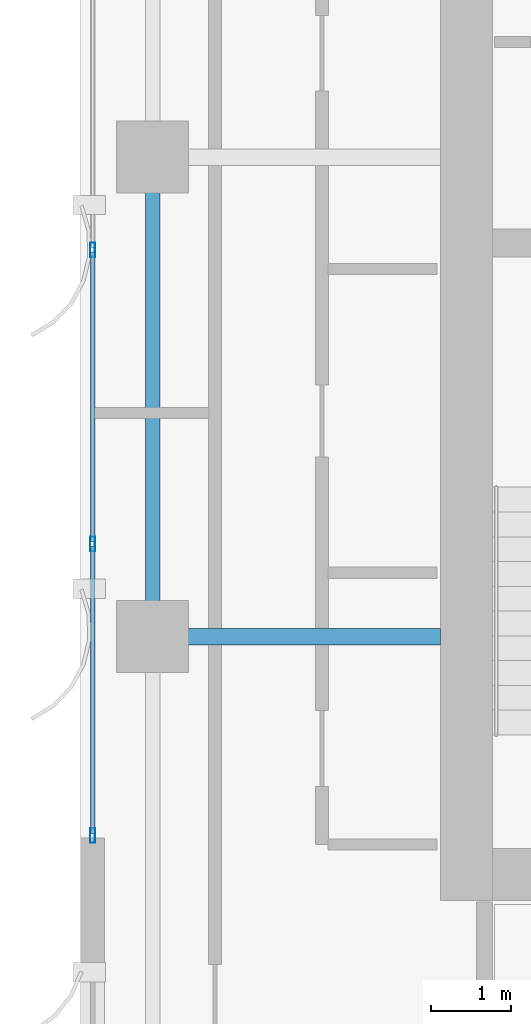
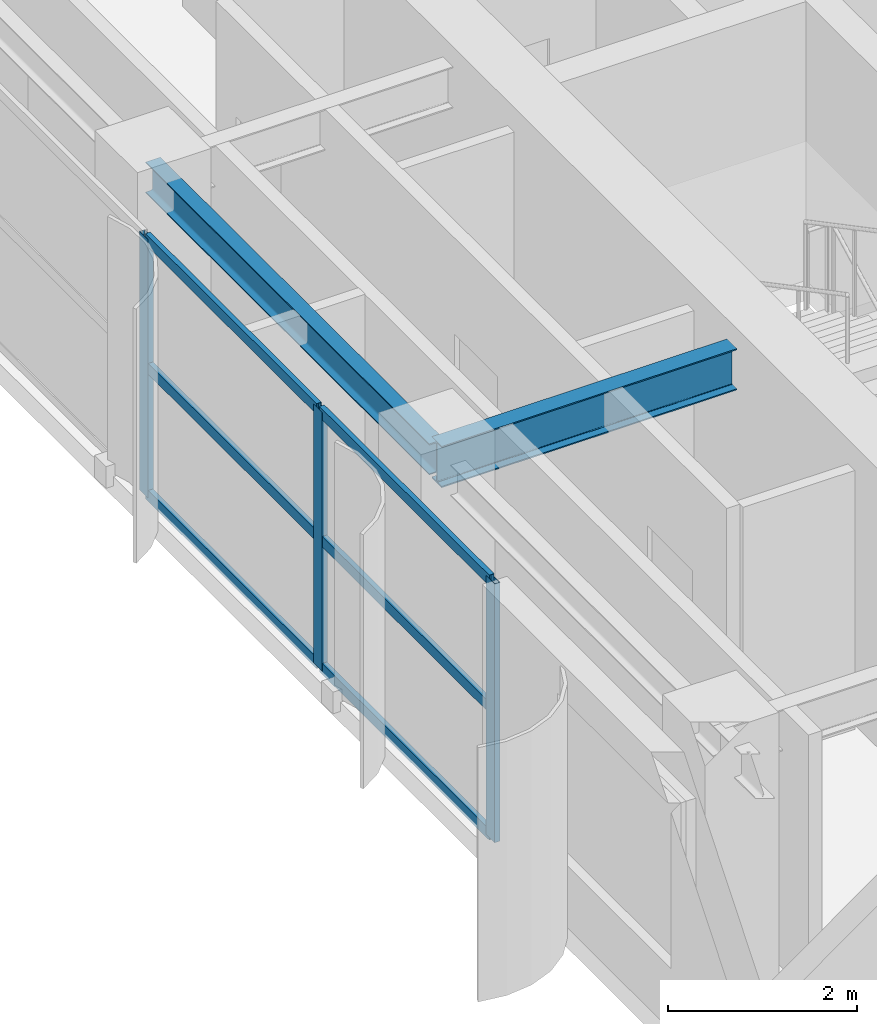
# One storey, part 6 of 22: 9 members, 2 beams, 1 element without a shape of its own.
"""IFC4 building model written with IfcOpenShell, lengths in metres."""

from ifc_helpers import new_model, si_unit, direction, frame, origin, origin_2d, place, context, subcontext, project, spatial, hollow_rectangle, i_section, extrude, source, transform, mapped, material, layer, layer_set, material_profile, profile_set, type_object, element, aggregate, save


model = new_model("IFC4")

# Units and contexts
model_context = context("Model", 3, precision=1e-05, world=origin(), true_north=direction((0.0, 1.0)))
body_context = subcontext(model_context, "Body", "Model", "MODEL_VIEW")
ifc_project = project(units=[si_unit("LENGTHUNIT", "METRE"), si_unit("AREAUNIT", "SQUARE_METRE"), si_unit("VOLUMEUNIT", "CUBIC_METRE"), si_unit("PLANEANGLEUNIT", "RADIAN"), si_unit("MASSUNIT", "GRAM", prefix="KILO")], contexts=[model_context])

# Site, building, storey
site_placement = place(None, origin())
site = spatial("IfcSite", under=ifc_project, at=site_placement, CompositionType="ELEMENT")
building_placement = place(site_placement, origin())
building = spatial("IfcBuilding", under=site, at=building_placement, Name="Khoralis Quay Care Tower", CompositionType="ELEMENT")
storey_placement = place(building_placement, frame((0.0, 0.0, 195.300048828125)))
storey = spatial("IfcBuildingStorey", under=building, at=storey_placement, Name="L51", CompositionType="ELEMENT", Elevation=195.300048828125)

# Beams
ifc_material_1 = material(Name="Steel S355", Category="steel")
ifc_material_profile_1 = material_profile(ifc_material_1, i_section(OverallWidth=0.179931640625, OverallDepth=0.39990234375, WebThickness=0.008544921875, FlangeThickness=0.013427734375, FilletRadius=0.02099609375, at=origin_2d()), Name="Steel S355")
ifc_profile_set_1 = profile_set([ifc_material_profile_1], Name="Steel S355")
beam_type_1 = type_object("IfcBeamType", Name="BM-IPE400", PredefinedType="SPANDREL", material=ifc_profile_set_1)
shared_shape_1 = source(origin(), body_context, "Body", "SweptSolid", [
    extrude(i_section(OverallWidth=0.179931640625, OverallDepth=0.39990234375, WebThickness=0.008544921875, FlangeThickness=0.013427734375, FilletRadius=0.02099609375, at=origin_2d()), origin(), (0.0, 0.0, 1.0), 6.0),
])
beam_1_placement = place(storey_placement, frame((3.89990234375, 18.0, 3.139892578125), z_axis=(0.0, 1.0, 0.0), x_axis=(-1.0, 0.0, 0.0)))
element("IfcBeam", 1, at=beam_1_placement, inside=storey, type_object=beam_type_1, Name="BM-TSP-L51-07", PredefinedType="SPANDREL", context=body_context, shape_type="MappedRepresentation", body=[
    mapped(shared_shape_1, transform((0.0, 0.0, 0.0), scale=1.0)),
])
ifc_material_profile_2 = material_profile(ifc_material_1, i_section(OverallWidth=0.208984375, OverallDepth=0.532958984375, WebThickness=0.01025390625, FlangeThickness=0.015625, FilletRadius=0.01611328125, at=origin_2d()), Name="Steel S355")
ifc_profile_set_2 = profile_set([ifc_material_profile_2], Name="Steel S355")
beam_type_2 = type_object("IfcBeamType", Name="BM-W530X92", PredefinedType="BEAM", material=ifc_profile_set_2)
shared_shape_2 = source(origin(), body_context, "Body", "SweptSolid", [
    extrude(i_section(OverallWidth=0.208984375, OverallDepth=0.532958984375, WebThickness=0.01025390625, FlangeThickness=0.015625, FilletRadius=0.01611328125, at=origin_2d()), origin(), (0.0, 0.0, 1.0), 3.60205078125),
])
beam_2_placement = place(storey_placement, frame((3.89990234375, 18.0, 3.073486328125), z_axis=(1.0, 0.0, 0.0), x_axis=(0.0, 1.0, 0.0)))
element("IfcBeam", 2, at=beam_2_placement, inside=storey, type_object=beam_type_2, Name="BM-TGXW-L51-180", PredefinedType="BEAM", context=body_context, shape_type="MappedRepresentation", body=[
    mapped(shared_shape_2, transform((0.0, 0.0, 0.0), scale=1.0)),
])

# Curtain wall, members
ifc_material_2 = material(Name="Pale anodised aluminium", Category="aluminium")
ifc_layer = layer(ifc_material_2, 0.159912109375)
ifc_layer_set = layer_set([ifc_layer], Name="Pale anodised aluminium")
curtain_wall_type = type_object("IfcCurtainWallType", Name="CW-SYS-Z3", PredefinedType="NOTDEFINED", material=ifc_layer_set)
curtain_wall_placement = place(storey_placement, origin())
curtain_wall = element("IfcCurtainWall", 3, at=curtain_wall_placement, inside=storey, type_object=curtain_wall_type, Name="L51 Unitised Curtain Wall CW-L51-P1-E7", PredefinedType="NOTDEFINED")
ifc_material_profile_3 = material_profile(ifc_material_2, hollow_rectangle(XDim=0.06494140625, YDim=0.179931640625, WallThickness=0.00390625, at=origin_2d()), Name="Pale anodised aluminium")
ifc_profile_set_3 = profile_set([ifc_material_profile_3], Name="Pale anodised aluminium")
member_type_1 = type_object("IfcMemberType", Name="CW-MUL-180", PredefinedType="MULLION", material=ifc_profile_set_3)
shared_shape_3 = source(origin(), body_context, "Body", "SweptSolid", [
    extrude(hollow_rectangle(XDim=0.06494140625, YDim=0.179931640625, WallThickness=0.00390625, at=origin_2d()), origin(), (0.0, 0.0, 1.0), 3.33984375),
])
member_1_placement = place(storey_placement, frame((3.14990234375, 22.840087890625, 0.0), z_axis=(0.0, 0.0, 1.0), x_axis=(1.0, 0.0, 0.0)))
member_1 = element("IfcMember", 4, at=member_1_placement, type_object=member_type_1, Name="CW3 mullion 2", PredefinedType="MULLION", context=body_context, shape_type="MappedRepresentation", body=[
    mapped(shared_shape_3, transform((0.0, 0.0, 0.0), scale=1.0)),
])
member_2_placement = place(storey_placement, frame((3.14990234375, 19.159912109375, 0.0), z_axis=(0.0, 0.0, 1.0), x_axis=(1.0, 0.0, 0.0)))
member_2 = element("IfcMember", 5, at=member_2_placement, type_object=member_type_1, Name="CW3 mullion 3", PredefinedType="MULLION", context=body_context, shape_type="MappedRepresentation", body=[
    mapped(shared_shape_3, transform((0.0, 0.0, 0.0), scale=1.0)),
])
member_3_placement = place(storey_placement, frame((3.14990234375, 15.510009765625, 0.0), z_axis=(0.0, 0.0, 1.0), x_axis=(1.0, 0.0, 0.0)))
member_3 = element("IfcMember", 6, at=member_3_placement, type_object=member_type_1, Name="CW3 mullion 4", PredefinedType="MULLION", context=body_context, shape_type="MappedRepresentation", body=[
    mapped(shared_shape_3, transform((0.0, 0.0, 0.0), scale=1.0)),
])
ifc_material_profile_4 = material_profile(ifc_material_2, hollow_rectangle(XDim=0.06005859375, YDim=0.139892578125, WallThickness=0.00390625, at=origin_2d()), Name="Pale anodised aluminium")
ifc_profile_set_4 = profile_set([ifc_material_profile_4], Name="Pale anodised aluminium")
member_type_2 = type_object("IfcMemberType", Name="CW-TRN-140", PredefinedType="USERDEFINED", material=ifc_profile_set_4)
shared_shape_4 = source(origin(), body_context, "Body", "SweptSolid", [
    extrude(hollow_rectangle(XDim=0.06005859375, YDim=0.139892578125, WallThickness=0.00390625, at=origin_2d()), origin(), (0.0, 0.0, 1.0), 3.58984375),
])
member_4_placement = place(storey_placement, frame((3.14990234375, 19.1298828125, 0.030029296875), z_axis=(0.0, -1.0, 0.0), x_axis=(1.0, 0.0, 0.0)))
member_4 = element("IfcMember", 7, at=member_4_placement, type_object=member_type_2, Name="CW3 transom 3.1", ObjectType="TRANSOM", PredefinedType="USERDEFINED", context=body_context, shape_type="MappedRepresentation", body=[
    mapped(shared_shape_4, transform((0.0, 0.0, 0.0), scale=1.0)),
])
member_5_placement = place(storey_placement, frame((3.14990234375, 19.1298828125, 1.669921875), z_axis=(0.0, -1.0, 0.0), x_axis=(1.0, 0.0, 0.0)))
member_5 = element("IfcMember", 8, at=member_5_placement, type_object=member_type_2, Name="CW3 transom 3.2", ObjectType="TRANSOM", PredefinedType="USERDEFINED", context=body_context, shape_type="MappedRepresentation", body=[
    mapped(shared_shape_4, transform((0.0, 0.0, 0.0), scale=1.0)),
])
member_6_placement = place(storey_placement, frame((3.14990234375, 19.1298828125, 3.31005859375), z_axis=(0.0, -1.0, 0.0), x_axis=(1.0, 0.0, 0.0)))
member_6 = element("IfcMember", 9, at=member_6_placement, type_object=member_type_2, Name="CW3 transom 3.3", ObjectType="TRANSOM", PredefinedType="USERDEFINED", context=body_context, shape_type="MappedRepresentation", body=[
    mapped(shared_shape_4, transform((0.0, 0.0, 0.0), scale=1.0)),
])
shared_shape_5 = source(origin(), body_context, "Body", "SweptSolid", [
    extrude(hollow_rectangle(XDim=0.06005859375, YDim=0.139892578125, WallThickness=0.00390625, at=origin_2d()), origin(), (0.0, 0.0, 1.0), 3.6201171875),
])
member_7_placement = place(storey_placement, frame((3.14990234375, 22.81005859375, 0.030029296875), z_axis=(0.0, -1.0, 0.0), x_axis=(1.0, 0.0, 0.0)))
member_7 = element("IfcMember", 10, at=member_7_placement, type_object=member_type_2, Name="CW3 transom 2.1", ObjectType="TRANSOM", PredefinedType="USERDEFINED", context=body_context, shape_type="MappedRepresentation", body=[
    mapped(shared_shape_5, transform((0.0, 0.0, 0.0), scale=1.0)),
])
member_8_placement = place(storey_placement, frame((3.14990234375, 22.81005859375, 1.669921875), z_axis=(0.0, -1.0, 0.0), x_axis=(1.0, 0.0, 0.0)))
member_8 = element("IfcMember", 11, at=member_8_placement, type_object=member_type_2, Name="CW3 transom 2.2", ObjectType="TRANSOM", PredefinedType="USERDEFINED", context=body_context, shape_type="MappedRepresentation", body=[
    mapped(shared_shape_5, transform((0.0, 0.0, 0.0), scale=1.0)),
])
member_9_placement = place(storey_placement, frame((3.14990234375, 22.81005859375, 3.31005859375), z_axis=(0.0, -1.0, 0.0), x_axis=(1.0, 0.0, 0.0)))
member_9 = element("IfcMember", 12, at=member_9_placement, type_object=member_type_2, Name="CW3 transom 2.3", ObjectType="TRANSOM", PredefinedType="USERDEFINED", context=body_context, shape_type="MappedRepresentation", body=[
    mapped(shared_shape_5, transform((0.0, 0.0, 0.0), scale=1.0)),
])
aggregate(curtain_wall, [member_1, member_2, member_3, member_7, member_8, member_9, member_4, member_5, member_6])

save(model, "model.ifc")
